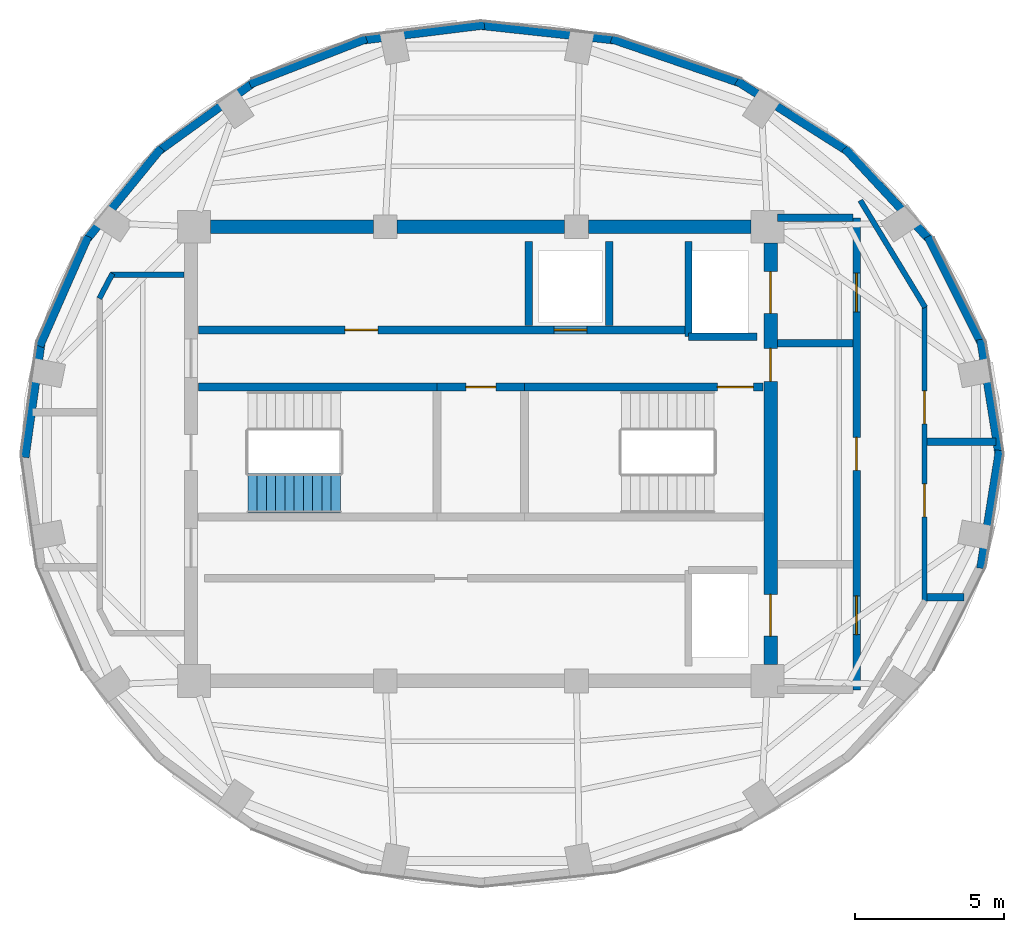
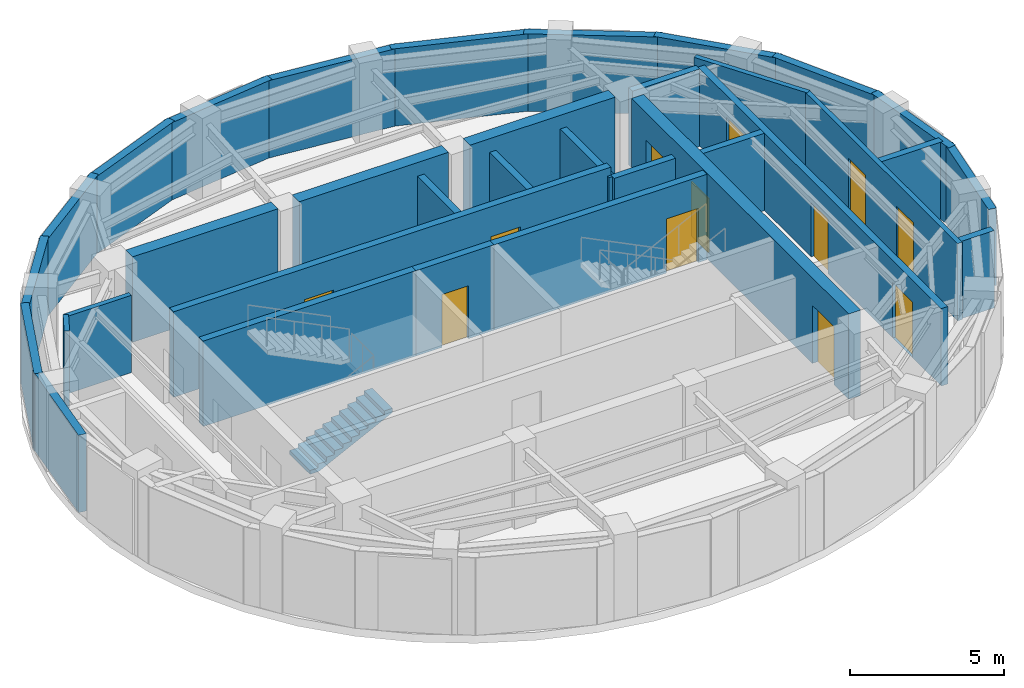
# One storey, part 3 of 5: 34 walls, 12 doors, 1 stair flight, 12 openings, 1 element without a shape of its own.
"""IFC4 building model written with IfcOpenShell, lengths in metres."""

from ifc_helpers import new_model, si_unit, direction, frame, frame_2d, origin, place, context, subcontext, project, spatial, polyline, rectangle, outline, extrude, material, layer, layer_set, type_object, element, fill, aggregate, save


model = new_model("IFC4")

# Units and contexts
model_context = context("Model", 3, precision=1e-05, world=origin(), true_north=direction((0.0, 1.0)))
body_context = subcontext(model_context, "Body", "Model", "MODEL_VIEW")
ifc_project = project(units=[si_unit("LENGTHUNIT", "METRE"), si_unit("AREAUNIT", "SQUARE_METRE"), si_unit("VOLUMEUNIT", "CUBIC_METRE"), si_unit("PLANEANGLEUNIT", "RADIAN"), si_unit("MASSUNIT", "GRAM", prefix="KILO")], contexts=[model_context])

# Site, building, storey
site_placement = place(None, origin())
site = spatial("IfcSite", under=ifc_project, at=site_placement, CompositionType="ELEMENT")
building_placement = place(site_placement, origin())
building = spatial("IfcBuilding", under=site, at=building_placement, Name="Lazwardi Medical Tower", CompositionType="ELEMENT")
storey_placement = place(building_placement, frame((0.0, 0.0, 309.22412109375)))
storey = spatial("IfcBuildingStorey", under=building, at=storey_placement, Name="L81", CompositionType="ELEMENT", Elevation=309.22412109375)

# Wall
ifc_material_1 = material(Name="Fire-rated gypsum board on steel stud", Category="steel")
ifc_layer_1 = layer(ifc_material_1, 0.179931640625)
ifc_layer_set_1 = layer_set([ifc_layer_1], Name="Fire-rated gypsum board on steel stud")
wall_type_1 = type_object("IfcWallType", Name="WL-COR-180", PredefinedType="PARTITIONING", material=ifc_layer_set_1)
wall_1_placement = place(storey_placement, frame((48.69921875, 36.484619140625, 0.0), z_axis=(0.0, 0.0, 1.0), x_axis=(0.518614420457, -0.855008235571, 0.0)))
element("IfcWall", 1, at=wall_1_placement, inside=storey, type_object=wall_type_1, Name="L81 Corridor partition 1", PredefinedType="PARTITIONING", context=body_context, shape_type="SweptSolid", body=[
    extrude(rectangle(XDim=4.18701171875, YDim=0.179931640625, at=frame_2d((2.093505859375, 0.0))), origin(), (0.0, 0.0, 1.0), 3.06787109375),
])

# Wall, openings, doors
wall_2_placement = place(storey_placement, frame((50.85009765625, 32.97900390625, 0.0), z_axis=(0.0, 0.0, 1.0), x_axis=(0.0, -1.0, 0.0)))
wall_2 = element("IfcWall", 2, at=wall_2_placement, inside=storey, type_object=wall_type_1, Name="L81 Corridor partition 2", PredefinedType="PARTITIONING", context=body_context, shape_type="SweptSolid", body=[
    extrude(rectangle(XDim=9.9580078125, YDim=0.179931640625, at=frame_2d((4.97900390625, 0.0))), origin(), (0.0, 0.0, 1.0), 3.06787109375),
])
opening_1_placement = place(wall_2_placement, frame((5.984619140625, 0.0, 0.0)))
opening_1 = element("IfcOpeningElement", 3, at=opening_1_placement, cuts=wall_2, Name="Opening D-L81-012", PredefinedType="OPENING", context=body_context, shape_type="SweptSolid", body=[
    extrude(rectangle(XDim=1.10009765625, YDim=2.14990234375, at=frame_2d((0.550048828125, 1.074951171875))), frame((0.0, 0.099853515625, 0.0), z_axis=(0.0, -1.0, 0.0), x_axis=(1.0, 0.0, 0.0)), (0.0, 0.0, 1.0), 0.199951171875),
])
opening_2_placement = place(wall_2_placement, frame((2.87353515625, 0.0, 0.0)))
opening_2 = element("IfcOpeningElement", 4, at=opening_2_placement, cuts=wall_2, Name="Opening D-L81-013", PredefinedType="OPENING", context=body_context, shape_type="SweptSolid", body=[
    extrude(rectangle(XDim=1.10009765625, YDim=2.14990234375, at=frame_2d((0.550048828125, 1.074951171875))), frame((0.0, 0.099853515625, 0.0), z_axis=(0.0, -1.0, 0.0), x_axis=(1.0, 0.0, 0.0)), (0.0, 0.0, 1.0), 0.199951171875),
])
ifc_material_2 = material(Name="Fire-rated steel leaf and frame", Category="steel")
door_type_1 = type_object("IfcDoorType", Name="DR-PLT-1100", OperationType="NOTDEFINED", PredefinedType="DOOR", material=ifc_material_2)
door_1_placement = place(opening_1_placement, origin())
door_1 = element("IfcDoor", 5, at=door_1_placement, inside=storey, type_object=door_type_1, Name="L81 Pump Room Door 03", OperationType="SINGLE_SWING_RIGHT", OverallHeight=2.14990234375, OverallWidth=1.10009765625, PredefinedType="DOOR", context=body_context, shape_type="SweptSolid", body=[
    extrude(rectangle(XDim=1.10009765625, YDim=2.14990234375, at=frame_2d((0.550048828125, 1.074951171875))), frame((0.0, 0.02490234375, 0.0), z_axis=(0.0, -1.0, 0.0), x_axis=(1.0, 0.0, 0.0)), (0.0, 0.0, 1.0), 0.050048828125),
])
fill(opening_1, door_1)
door_2_placement = place(opening_2_placement, origin())
door_2 = element("IfcDoor", 6, at=door_2_placement, inside=storey, type_object=door_type_1, Name="L81 Water Tank Room Door 04", OperationType="SINGLE_SWING_LEFT", OverallHeight=2.14990234375, OverallWidth=1.10009765625, PredefinedType="DOOR", context=body_context, shape_type="SweptSolid", body=[
    extrude(rectangle(XDim=1.10009765625, YDim=2.14990234375, at=frame_2d((0.550048828125, 1.074951171875))), frame((0.0, 0.02490234375, 0.0), z_axis=(0.0, -1.0, 0.0), x_axis=(1.0, 0.0, 0.0)), (0.0, 0.0, 1.0), 0.050048828125),
])
fill(opening_2, door_2)

# Walls
wall_3_placement = place(storey_placement, frame((23.231201171875, 33.19921875, 0.0), z_axis=(0.0, 0.0, 1.0), x_axis=(0.466427533163, 0.884559413667, 0.0)))
element("IfcWall", 7, at=wall_3_placement, inside=storey, type_object=wall_type_1, Name="L81 Corridor partition 7", PredefinedType="PARTITIONING", context=body_context, shape_type="SweptSolid", body=[
    extrude(rectangle(XDim=0.9453125, YDim=0.179931640625, at=frame_2d((0.47265625, 0.0))), origin(), (0.0, 0.0, 1.0), 3.06787109375),
])
wall_4_placement = place(storey_placement, frame((23.613525390625, 34.0, 0.0), z_axis=(0.0, 0.0, 1.0), x_axis=(1.0, 0.0, 0.0)))
element("IfcWall", 8, at=wall_4_placement, inside=storey, type_object=wall_type_1, Name="L81 Corridor partition 8", PredefinedType="PARTITIONING", context=body_context, shape_type="SweptSolid", body=[
    extrude(rectangle(XDim=2.446533203125, YDim=0.179931640625, at=frame_2d((1.22314453125, 0.0))), origin(), (0.0, 0.0, 1.0), 3.06787109375),
])

# Wall, openings, doors
ifc_material_3 = material(Name="Concrete C60/75", Category="concrete")
ifc_layer_2 = layer(ifc_material_3, 0.449951171875)
ifc_layer_set_2 = layer_set([ifc_layer_2], Name="Concrete C60/75")
wall_type_2 = type_object("IfcWallType", Name="WL-CORE-450", PredefinedType="SHEAR", material=ifc_layer_set_2)
wall_5_placement = place(storey_placement, frame((45.699951171875, 20.949951171875, 0.0), z_axis=(0.0, 0.0, 1.0), x_axis=(0.0, 1.0, 0.0)))
wall_5 = element("IfcWall", 9, at=wall_5_placement, inside=storey, type_object=wall_type_2, Name="Core wall CW-S4 east L81", PredefinedType="SHEAR", context=body_context, shape_type="SweptSolid", body=[
    extrude(rectangle(XDim=14.10009765625, YDim=0.449951171875, at=frame_2d((7.050048828125, 0.0))), origin(), (0.0, 0.0, 1.0), 3.387939453125),
])
opening_3_placement = place(wall_5_placement, frame((11.75, 0.0, 0.0)))
opening_3 = element("IfcOpeningElement", 10, at=opening_3_placement, cuts=wall_5, Name="Opening LD-L81-001", PredefinedType="OPENING", context=body_context, shape_type="SweptSolid", body=[
    extrude(rectangle(XDim=1.39990234375, YDim=2.300048828125, at=frame_2d((0.699951171875, 1.14990234375))), frame((0.0, 0.23486328125, 0.0), z_axis=(0.0, -1.0, 0.0), x_axis=(1.0, 0.0, 0.0)), (0.0, 0.0, 1.0), 0.469970703125),
])
opening_4_placement = place(wall_5_placement, frame((0.949951171875, 0.0, 0.0)))
opening_4 = element("IfcOpeningElement", 11, at=opening_4_placement, cuts=wall_5, Name="Opening LD-L81-002", PredefinedType="OPENING", context=body_context, shape_type="SweptSolid", body=[
    extrude(rectangle(XDim=1.39990234375, YDim=2.300048828125, at=frame_2d((0.699951171875, 1.14990234375))), frame((0.0, 0.23486328125, 0.0), z_axis=(0.0, -1.0, 0.0), x_axis=(1.0, 0.0, 0.0)), (0.0, 0.0, 1.0), 0.469970703125),
])
opening_5_placement = place(wall_5_placement, frame((9.47998046875, 0.0, 0.0)))
opening_5 = element("IfcOpeningElement", 12, at=opening_5_placement, cuts=wall_5, Name="Opening D-L81-005", PredefinedType="OPENING", context=body_context, shape_type="SweptSolid", body=[
    extrude(rectangle(XDim=1.10009765625, YDim=2.14990234375, at=frame_2d((0.550048828125, 1.074951171875))), frame((0.0, 0.23486328125, 0.0), z_axis=(0.0, -1.0, 0.0), x_axis=(1.0, 0.0, 0.0)), (0.0, 0.0, 1.0), 0.469970703125),
])
ifc_material_4 = material(Name="Brushed stainless steel bed-lift landing door", Category="steel")
door_type_2 = type_object("IfcDoorType", Name="DR-LFT-1400", OperationType="NOTDEFINED", PredefinedType="DOOR", material=ifc_material_4)
door_3_placement = place(opening_3_placement, origin())
door_3 = element("IfcDoor", 13, at=door_3_placement, inside=storey, type_object=door_type_2, Name="L81 Lift Landing Door FL-01", OperationType="SLIDING_TO_LEFT", OverallHeight=2.300048828125, OverallWidth=1.39990234375, PredefinedType="DOOR", context=body_context, shape_type="SweptSolid", body=[
    extrude(rectangle(XDim=1.39990234375, YDim=2.300048828125, at=frame_2d((0.699951171875, 1.14990234375))), frame((0.0, 0.02490234375, 0.0), z_axis=(0.0, -1.0, 0.0), x_axis=(1.0, 0.0, 0.0)), (0.0, 0.0, 1.0), 0.050048828125),
])
fill(opening_3, door_3)
door_4_placement = place(opening_4_placement, origin())
door_4 = element("IfcDoor", 14, at=door_4_placement, inside=storey, type_object=door_type_2, Name="L81 Lift Landing Door FL-02", OperationType="SLIDING_TO_LEFT", OverallHeight=2.300048828125, OverallWidth=1.39990234375, PredefinedType="DOOR", context=body_context, shape_type="SweptSolid", body=[
    extrude(rectangle(XDim=1.39990234375, YDim=2.300048828125, at=frame_2d((0.699951171875, 1.14990234375))), frame((0.0, 0.02490234375, 0.0), z_axis=(0.0, -1.0, 0.0), x_axis=(1.0, 0.0, 0.0)), (0.0, 0.0, 1.0), 0.050048828125),
])
fill(opening_4, door_4)
door_5_placement = place(opening_5_placement, origin())
door_5 = element("IfcDoor", 15, at=door_5_placement, inside=storey, type_object=door_type_1, Name="L81 Core Plant Lobby Transfer Door", OperationType="SINGLE_SWING_RIGHT", OverallHeight=2.14990234375, OverallWidth=1.10009765625, PredefinedType="DOOR", context=body_context, shape_type="SweptSolid", body=[
    extrude(rectangle(XDim=1.10009765625, YDim=2.14990234375, at=frame_2d((0.550048828125, 1.074951171875))), frame((0.0, 0.02490234375, 0.0), z_axis=(0.0, -1.0, 0.0), x_axis=(1.0, 0.0, 0.0)), (0.0, 0.0, 1.0), 0.050048828125),
])
fill(opening_5, door_5)

# Walls
wall_6_placement = place(storey_placement, frame((26.949951171875, 35.60009765625, 0.0), z_axis=(0.0, 0.0, 1.0), x_axis=(1.0, 0.0, 0.0)))
element("IfcWall", 16, at=wall_6_placement, inside=storey, type_object=wall_type_2, Name="Core wall CW-S4 N1 L81", PredefinedType="SHEAR", context=body_context, shape_type="SweptSolid", body=[
    extrude(rectangle(XDim=5.449951171875, YDim=0.449951171875, at=frame_2d((2.72509765625, 0.0))), origin(), (0.0, 0.0, 1.0), 3.387939453125),
])
wall_7_placement = place(storey_placement, frame((33.199951171875, 35.60009765625, 0.0), z_axis=(0.0, 0.0, 1.0), x_axis=(1.0, 0.0, 0.0)))
element("IfcWall", 17, at=wall_7_placement, inside=storey, type_object=wall_type_2, Name="Core wall CW-S4 N2 L81", PredefinedType="SHEAR", context=body_context, shape_type="SweptSolid", body=[
    extrude(rectangle(XDim=5.60009765625, YDim=0.449951171875, at=frame_2d((2.800048828125, 0.0))), origin(), (0.0, 0.0, 1.0), 3.387939453125),
])
wall_8_placement = place(storey_placement, frame((39.60009765625, 35.60009765625, 0.0), z_axis=(0.0, 0.0, 1.0), x_axis=(1.0, 0.0, 0.0)))
element("IfcWall", 18, at=wall_8_placement, inside=storey, type_object=wall_type_2, Name="Core wall CW-S4 N3 L81", PredefinedType="SHEAR", context=body_context, shape_type="SweptSolid", body=[
    extrude(rectangle(XDim=5.449951171875, YDim=0.449951171875, at=frame_2d((2.72509765625, 0.0))), origin(), (0.0, 0.0, 1.0), 3.387939453125),
])
ifc_material_5 = material(Name="Precast concrete C45/55", Category="concrete")
ifc_layer_3 = layer(ifc_material_5, 0.280029296875)
ifc_layer_set_3 = layer_set([ifc_layer_3], Name="Precast concrete C45/55")
wall_type_3 = type_object("IfcWallType", Name="WL-DRUM-280", PredefinedType="SOLIDWALL", material=ifc_layer_set_3)
for number, where, z_axis, x_axis, name in (
    (19, (52.730224609375, 24.169921875, 0.0), (0.0, 0.0, 1.0), (0.157235511094, 0.987561134336, 0.0), "L81 Crown Plant Drum Wall 06"),
    (20, (53.35888671875, 27.881591796875, 0.0), (0.0, 0.0, 1.0), (-0.157235511094, 0.987561134336, 0.0), "L81 Crown Plant Drum Wall 07"),
):
    element("IfcWall", number, at=place(storey_placement, frame(where, z_axis=z_axis, x_axis=x_axis)), inside=storey, type_object=wall_type_3, Name=name, PredefinedType="SOLIDWALL", context=body_context, shape_type="SweptSolid", body=[
        extrude(rectangle(XDim=3.998291015625, YDim=0.280029296875, at=frame_2d((1.9990234375, 0.0))), origin(), (0.0, 0.0, 1.0), 3.06787109375),
    ])
wall_9_placement = place(storey_placement, frame((52.802978515625, 31.604248046875, 0.0), z_axis=(0.0, 0.0, 1.0), x_axis=(-0.447855311217, 0.894106045285, 0.0)))
element("IfcWall", 21, at=wall_9_placement, inside=storey, type_object=wall_type_3, Name="L81 Crown Plant Drum Wall 08", PredefinedType="SOLIDWALL", context=body_context, shape_type="SweptSolid", body=[
    extrude(rectangle(XDim=4.108154296875, YDim=0.280029296875, at=frame_2d((2.05419921875, 0.0))), origin(), (0.0, 0.0, 1.0), 3.06787109375),
])
wall_10_placement = place(storey_placement, frame((51.098388671875, 35.08203125, 0.0), z_axis=(0.0, 0.0, 1.0), x_axis=(-0.680156447476, 0.733066986678, 0.0)))
element("IfcWall", 22, at=wall_10_placement, inside=storey, type_object=wall_type_3, Name="L81 Crown Plant Drum Wall 09", PredefinedType="SOLIDWALL", context=body_context, shape_type="SweptSolid", body=[
    extrude(rectangle(XDim=4.291259765625, YDim=0.280029296875, at=frame_2d((2.1455078125, 0.0))), origin(), (0.0, 0.0, 1.0), 3.06787109375),
])
wall_11_placement = place(storey_placement, frame((48.362548828125, 38.07568359375, 0.0), z_axis=(0.0, 0.0, 1.0), x_axis=(-0.84435210997, 0.535788684454, 0.0)))
element("IfcWall", 23, at=wall_11_placement, inside=storey, type_object=wall_type_3, Name="L81 Crown Plant Drum Wall 10", PredefinedType="SOLIDWALL", context=body_context, shape_type="SweptSolid", body=[
    extrude(rectangle(XDim=4.493408203125, YDim=0.280029296875, at=frame_2d((2.24658203125, 0.0))), origin(), (0.0, 0.0, 1.0), 3.06787109375),
])
wall_12_placement = place(storey_placement, frame((44.783447265625, 40.3798828125, 0.0), z_axis=(0.0, 0.0, 1.0), x_axis=(-0.946020767408, 0.324106012955, 0.0)))
element("IfcWall", 24, at=wall_12_placement, inside=storey, type_object=wall_type_3, Name="L81 Crown Plant Drum Wall 11", PredefinedType="SOLIDWALL", context=body_context, shape_type="SweptSolid", body=[
    extrude(rectangle(XDim=4.660400390625, YDim=0.280029296875, at=frame_2d((2.330078125, 0.0))), origin(), (0.0, 0.0, 1.0), 3.06787109375),
])
wall_13_placement = place(storey_placement, frame((40.607177734375, 41.83837890625, 0.0), z_axis=(0.0, 0.0, 1.0), x_axis=(-0.994124299368, 0.108244525985, 0.0)))
element("IfcWall", 25, at=wall_13_placement, inside=storey, type_object=wall_type_3, Name="L81 Crown Plant Drum Wall 12", PredefinedType="SOLIDWALL", context=body_context, shape_type="SweptSolid", body=[
    extrude(rectangle(XDim=4.75439453125, YDim=0.280029296875, at=frame_2d((2.377197265625, 0.0))), origin(), (0.0, 0.0, 1.0), 3.06787109375),
])
wall_14_placement = place(storey_placement, frame((36.119140625, 42.354736328125, 0.0), z_axis=(0.0, 0.0, 1.0), x_axis=(-0.992416279723, -0.122922446041, 0.0)))
element("IfcWall", 26, at=wall_14_placement, inside=storey, type_object=wall_type_3, Name="L81 Crown Plant Drum Wall 13", PredefinedType="SOLIDWALL", context=body_context, shape_type="SweptSolid", body=[
    extrude(rectangle(XDim=4.214599609375, YDim=0.280029296875, at=frame_2d((2.107421875, 0.0))), origin(), (0.0, 0.0, 1.0), 3.06787109375),
])
wall_15_placement = place(storey_placement, frame((32.16748046875, 41.89501953125, 0.0), z_axis=(0.0, 0.0, 1.0), x_axis=(-0.931727407844, -0.363158419249, 0.0)))
element("IfcWall", 27, at=wall_15_placement, inside=storey, type_object=wall_type_3, Name="L81 Crown Plant Drum Wall 14", PredefinedType="SOLIDWALL", context=body_context, shape_type="SweptSolid", body=[
    extrude(rectangle(XDim=4.184814453125, YDim=0.280029296875, at=frame_2d((2.09228515625, 0.0))), origin(), (0.0, 0.0, 1.0), 3.06787109375),
])
wall_16_placement = place(storey_placement, frame((28.477294921875, 40.489013671875, 0.0), z_axis=(0.0, 0.0, 1.0), x_axis=(-0.810749316968, -0.585393495895, 0.0)))
element("IfcWall", 28, at=wall_16_placement, inside=storey, type_object=wall_type_3, Name="L81 Crown Plant Drum Wall 15", PredefinedType="SOLIDWALL", context=body_context, shape_type="SweptSolid", body=[
    extrude(rectangle(XDim=4.133056640625, YDim=0.280029296875, at=frame_2d((2.06640625, 0.0))), origin(), (0.0, 0.0, 1.0), 3.06787109375),
])
wall_17_placement = place(storey_placement, frame((25.299560546875, 38.23291015625, 0.0), z_axis=(0.0, 0.0, 1.0), x_axis=(-0.631957150792, -0.775003328743, 0.0)))
element("IfcWall", 29, at=wall_17_placement, inside=storey, type_object=wall_type_3, Name="L81 Crown Plant Drum Wall 16", PredefinedType="SOLIDWALL", context=body_context, shape_type="SweptSolid", body=[
    extrude(rectangle(XDim=4.072265625, YDim=0.280029296875, at=frame_2d((2.0361328125, 0.0))), origin(), (0.0, 0.0, 1.0), 3.06787109375),
])
wall_18_placement = place(storey_placement, frame((22.85009765625, 35.27978515625, 0.0), z_axis=(0.0, 0.0, 1.0), x_axis=(-0.402911662576, -0.915238871639, 0.0)))
element("IfcWall", 30, at=wall_18_placement, inside=storey, type_object=wall_type_3, Name="L81 Crown Plant Drum Wall 17", PredefinedType="SOLIDWALL", context=body_context, shape_type="SweptSolid", body=[
    extrude(rectangle(XDim=4.0185546875, YDim=0.280029296875, at=frame_2d((2.00927734375, 0.0))), origin(), (0.0, 0.0, 1.0), 3.06787109375),
])
wall_19_placement = place(storey_placement, frame((21.2958984375, 31.830322265625, 0.0), z_axis=(0.0, 0.0, 1.0), x_axis=(-0.13854936703, -0.990355528533, 0.0)))
element("IfcWall", 31, at=wall_19_placement, inside=storey, type_object=wall_type_3, Name="L81 Crown Plant Drum Wall 18", PredefinedType="SOLIDWALL", context=body_context, shape_type="SweptSolid", body=[
    extrude(rectangle(XDim=3.98779296875, YDim=0.280029296875, at=frame_2d((1.993896484375, 0.0))), origin(), (0.0, 0.0, 1.0), 3.06787109375),
])
ifc_material_6 = material(Name="Autoclaved aerated concrete blockwork", Category="masonry")
ifc_layer_4 = layer(ifc_material_6, 0.25)
ifc_layer_set_4 = layer_set([ifc_layer_4], Name="Autoclaved aerated concrete blockwork")
wall_type_4 = type_object("IfcWallType", Name="WL-SHAFT-250", PredefinedType="SOLIDWALL", material=ifc_layer_set_4)
wall_20_placement = place(storey_placement, frame((42.949951171875, 31.919921875, 0.0), z_axis=(0.0, 0.0, 1.0), x_axis=(0.0, 1.0, 0.0)))
element("IfcWall", 32, at=wall_20_placement, inside=storey, type_object=wall_type_4, Name="L81 FL-01 West shaft wall", PredefinedType="SOLIDWALL", context=body_context, shape_type="SweptSolid", body=[
    extrude(rectangle(XDim=3.18017578125, YDim=0.25, at=frame_2d((1.590087890625, 0.0))), origin(), (0.0, 0.0, 1.0), 3.06787109375),
])
wall_21_placement = place(storey_placement, frame((42.949951171875, 31.919921875, 0.0), z_axis=(0.0, 0.0, 1.0), x_axis=(1.0, 0.0, 0.0)))
element("IfcWall", 33, at=wall_21_placement, inside=storey, type_object=wall_type_4, Name="L81 FL-01 South shaft wall", PredefinedType="SOLIDWALL", context=body_context, shape_type="SweptSolid", body=[
    extrude(rectangle(XDim=2.300048828125, YDim=0.25, at=frame_2d((1.14990234375, 0.0))), origin(), (0.0, 0.0, 1.0), 3.06787109375),
])
for number, where, z_axis, x_axis, name in (
    (34, (37.60009765625, 32.300048828125, 0.0), (0.0, 0.0, 1.0), (0.0, 1.0, 0.0), "L81 PL-09 West hoistway divider"),
    (35, (40.300048828125, 32.300048828125, 0.0), (0.0, 0.0, 1.0), (0.0, 1.0, 0.0), "L81 PL-09 East hoistway divider"),
):
    element("IfcWall", number, at=place(storey_placement, frame(where, z_axis=z_axis, x_axis=x_axis)), inside=storey, type_object=wall_type_4, Name=name, PredefinedType="SOLIDWALL", context=body_context, shape_type="SweptSolid", body=[
        extrude(rectangle(XDim=2.800048828125, YDim=0.25, at=frame_2d((1.39990234375, 0.0))), origin(), (0.0, 0.0, 1.0), 3.06787109375),
    ])

# Wall, openings, doors
wall_22_placement = place(storey_placement, frame((48.580078125, 20.10009765625, 0.0), z_axis=(0.0, 0.0, 1.0), x_axis=(0.0, 1.0, 0.0)))
wall_22 = element("IfcWall", 36, at=wall_22_placement, inside=storey, type_object=wall_type_4, Name="L81 Crown FFL East wall", PredefinedType="SOLIDWALL", context=body_context, shape_type="SweptSolid", body=[
    extrude(rectangle(XDim=15.7998046875, YDim=0.25, at=frame_2d((7.89990234375, 0.0))), origin(), (0.0, 0.0, 1.0), 3.06787109375),
])
opening_6_placement = place(wall_22_placement, frame((12.64990234375, 0.0, 0.0)))
opening_6 = element("IfcOpeningElement", 37, at=opening_6_placement, cuts=wall_22, Name="Opening D-L81-003", PredefinedType="OPENING", context=body_context, shape_type="SweptSolid", body=[
    extrude(rectangle(XDim=1.300048828125, YDim=2.199951171875, at=frame_2d((0.64990234375, 1.10009765625))), frame((0.0, 0.135009765625, 0.0), z_axis=(0.0, -1.0, 0.0), x_axis=(1.0, 0.0, 0.0)), (0.0, 0.0, 1.0), 0.27001953125),
])
opening_7_placement = place(wall_22_placement, frame((7.35009765625, 0.0, 0.0)))
opening_7 = element("IfcOpeningElement", 38, at=opening_7_placement, cuts=wall_22, Name="Opening D-L81-002", PredefinedType="OPENING", context=body_context, shape_type="SweptSolid", body=[
    extrude(rectangle(XDim=1.10009765625, YDim=2.14990234375, at=frame_2d((0.550048828125, 1.074951171875))), frame((0.0, 0.135009765625, 0.0), z_axis=(0.0, -1.0, 0.0), x_axis=(1.0, 0.0, 0.0)), (0.0, 0.0, 1.0), 0.27001953125),
])
opening_8_placement = place(wall_22_placement, frame((1.85009765625, 0.0, 0.0)))
opening_8 = element("IfcOpeningElement", 39, at=opening_8_placement, cuts=wall_22, Name="Opening D-L81-004", PredefinedType="OPENING", context=body_context, shape_type="SweptSolid", body=[
    extrude(rectangle(XDim=1.300048828125, YDim=2.199951171875, at=frame_2d((0.64990234375, 1.10009765625))), frame((0.0, 0.135009765625, 0.0), z_axis=(0.0, -1.0, 0.0), x_axis=(1.0, 0.0, 0.0)), (0.0, 0.0, 1.0), 0.27001953125),
])
door_type_3 = type_object("IfcDoorType", Name="DR-FFL-1300", OperationType="NOTDEFINED", PredefinedType="DOOR", material=ifc_material_2)
door_6_placement = place(opening_6_placement, origin())
door_6 = element("IfcDoor", 40, at=door_6_placement, inside=storey, type_object=door_type_3, Name="L81 FFL North Door", OperationType="SINGLE_SWING_LEFT", OverallHeight=2.199951171875, OverallWidth=1.300048828125, PredefinedType="DOOR", context=body_context, shape_type="SweptSolid", body=[
    extrude(rectangle(XDim=1.300048828125, YDim=2.199951171875, at=frame_2d((0.64990234375, 1.10009765625))), frame((0.0, 0.02490234375, 0.0), z_axis=(0.0, -1.0, 0.0), x_axis=(1.0, 0.0, 0.0)), (0.0, 0.0, 1.0), 0.050048828125),
])
fill(opening_6, door_6)
door_7_placement = place(opening_8_placement, origin())
door_7 = element("IfcDoor", 41, at=door_7_placement, inside=storey, type_object=door_type_3, Name="L81 FFL South Door", OperationType="SINGLE_SWING_LEFT", OverallHeight=2.199951171875, OverallWidth=1.300048828125, PredefinedType="DOOR", context=body_context, shape_type="SweptSolid", body=[
    extrude(rectangle(XDim=1.300048828125, YDim=2.199951171875, at=frame_2d((0.64990234375, 1.10009765625))), frame((0.0, 0.02490234375, 0.0), z_axis=(0.0, -1.0, 0.0), x_axis=(1.0, 0.0, 0.0)), (0.0, 0.0, 1.0), 0.050048828125),
])
fill(opening_8, door_7)
door_8_placement = place(opening_7_placement, origin())
door_8 = element("IfcDoor", 42, at=door_8_placement, inside=storey, type_object=door_type_1, Name="L81 Plant Lobby Door", OperationType="SINGLE_SWING_RIGHT", OverallHeight=2.14990234375, OverallWidth=1.10009765625, PredefinedType="DOOR", context=body_context, shape_type="SweptSolid", body=[
    extrude(rectangle(XDim=1.10009765625, YDim=2.14990234375, at=frame_2d((0.550048828125, 1.074951171875))), frame((0.0, 0.02490234375, 0.0), z_axis=(0.0, -1.0, 0.0), x_axis=(1.0, 0.0, 0.0)), (0.0, 0.0, 1.0), 0.050048828125),
])
fill(opening_7, door_8)

# Walls
for number, where, z_axis, x_axis, name in (
    (43, (45.929931640625, 35.89990234375, 0.0), (0.0, 0.0, 1.0), (1.0, 0.0, 0.0), "L81 Crown FFL-N North wall"),
    (44, (45.929931640625, 31.699951171875, 0.0), (0.0, 0.0, 1.0), (1.0, 0.0, 0.0), "L81 Crown FFL-N South wall"),
):
    element("IfcWall", number, at=place(storey_placement, frame(where, z_axis=z_axis, x_axis=x_axis)), inside=storey, type_object=wall_type_4, Name=name, PredefinedType="SOLIDWALL", context=body_context, shape_type="SweptSolid", body=[
        extrude(rectangle(XDim=2.52001953125, YDim=0.25, at=frame_2d((1.260009765625, 0.0))), origin(), (0.0, 0.0, 1.0), 3.06787109375),
    ])
wall_23_placement = place(storey_placement, frame((50.93994140625, 23.199951171875, 0.0), z_axis=(0.0, 0.0, 1.0), x_axis=(1.0, 0.0, 0.0)))
element("IfcWall", 45, at=wall_23_placement, inside=storey, type_object=wall_type_4, Name="L81 Room partition 3", PredefinedType="SOLIDWALL", context=body_context, shape_type="SweptSolid", body=[
    extrude(rectangle(XDim=1.22900390625, YDim=0.25, at=frame_2d((0.614501953125, 0.0))), origin(), (0.0, 0.0, 1.0), 3.06787109375),
])
wall_24_placement = place(storey_placement, frame((50.93994140625, 28.39990234375, 0.0), z_axis=(0.0, 0.0, 1.0), x_axis=(1.0, 0.0, 0.0)))
element("IfcWall", 46, at=wall_24_placement, inside=storey, type_object=wall_type_4, Name="L81 Room partition 4", PredefinedType="SOLIDWALL", context=body_context, shape_type="SweptSolid", body=[
    extrude(rectangle(XDim=2.30126953125, YDim=0.25, at=frame_2d((1.150634765625, 0.0))), origin(), (0.0, 0.0, 1.0), 3.06787109375),
])
ifc_material_7 = material(Name="Concrete C50/60", Category="concrete")
ifc_layer_5 = layer(ifc_material_7, 0.27001953125)
ifc_layer_set_5 = layer_set([ifc_layer_5], Name="Concrete C50/60")
wall_type_5 = type_object("IfcWallType", Name="WL-STR-250", PredefinedType="SHEAR", material=ifc_layer_set_5)
wall_25_placement = place(storey_placement, frame((26.550048828125, 30.235107421875, 0.0), z_axis=(0.0, 0.0, 1.0), x_axis=(1.0, 0.0, 0.0)))
element("IfcWall", 47, at=wall_25_placement, inside=storey, type_object=wall_type_5, Name="L81 ST1 North shear shaft wall SW-S1", PredefinedType="SHEAR", context=body_context, shape_type="SweptSolid", body=[
    extrude(rectangle(XDim=7.98486328125, YDim=0.27001953125, at=frame_2d((3.992431640625, 0.0))), origin(), (0.0, 0.0, 1.0), 3.387939453125),
])

# Wall, opening, door
wall_26_placement = place(storey_placement, frame((34.534912109375, 30.235107421875, 0.0), z_axis=(0.0, 0.0, 1.0), x_axis=(1.0, 0.0, 0.0)))
wall_26 = element("IfcWall", 48, at=wall_26_placement, inside=storey, type_object=wall_type_5, Name="L81 Core service North shear wall SW-S1", PredefinedType="SHEAR", context=body_context, shape_type="SweptSolid", body=[
    extrude(rectangle(XDim=2.93017578125, YDim=0.27001953125, at=frame_2d((1.465087890625, 0.0))), origin(), (0.0, 0.0, 1.0), 3.387939453125),
])
opening_9_placement = place(wall_26_placement, frame((0.965087890625, 0.0, 0.0)))
opening_9 = element("IfcOpeningElement", 49, at=opening_9_placement, cuts=wall_26, Name="Opening D-L81-001", PredefinedType="OPENING", context=body_context, shape_type="SweptSolid", body=[
    extrude(rectangle(XDim=1.0, YDim=2.10009765625, at=frame_2d((0.5, 1.050048828125))), frame((0.0, 0.14501953125, 0.0), z_axis=(0.0, -1.0, 0.0), x_axis=(1.0, 0.0, 0.0)), (0.0, 0.0, 1.0), 0.2900390625),
])
ifc_material_8 = material(Name="Moisture-resistant laminate door leaf")
door_type_4 = type_object("IfcDoorType", Name="DR-AWC-1000", OperationType="NOTDEFINED", PredefinedType="DOOR", material=ifc_material_8)
door_9_placement = place(opening_9_placement, origin())
door_9 = element("IfcDoor", 50, at=door_9_placement, inside=storey, type_object=door_type_4, Name="L81 Accessible WC Door", OperationType="SINGLE_SWING_LEFT", OverallHeight=2.10009765625, OverallWidth=1.0, PredefinedType="DOOR", context=body_context, shape_type="SweptSolid", body=[
    extrude(rectangle(XDim=1.0, YDim=2.10009765625, at=frame_2d((0.5, 1.050048828125))), frame((0.0, 0.02490234375, 0.0), z_axis=(0.0, -1.0, 0.0), x_axis=(1.0, 0.0, 0.0)), (0.0, 0.0, 1.0), 0.050048828125),
])
fill(opening_9, door_9)

wall_27_placement = place(storey_placement, frame((37.465087890625, 30.235107421875, 0.0), z_axis=(0.0, 0.0, 1.0), x_axis=(1.0, 0.0, 0.0)))
wall_27 = element("IfcWall", 51, at=wall_27_placement, inside=storey, type_object=wall_type_5, Name="L81 ST2 North shear shaft wall SW-S1", PredefinedType="SHEAR", context=body_context, shape_type="SweptSolid", body=[
    extrude(rectangle(XDim=7.98486328125, YDim=0.27001953125, at=frame_2d((3.992431640625, 0.0))), origin(), (0.0, 0.0, 1.0), 3.387939453125),
])
opening_10_placement = place(wall_27_placement, frame((6.455078125, 0.0, 0.0)))
opening_10 = element("IfcOpeningElement", 52, at=opening_10_placement, cuts=wall_27, Name="Opening D-L81-015", PredefinedType="OPENING", context=body_context, shape_type="SweptSolid", body=[
    extrude(rectangle(XDim=1.199951171875, YDim=2.14990234375, at=frame_2d((0.60009765625, 1.074951171875))), frame((0.0, 0.14501953125, 0.0), z_axis=(0.0, -1.0, 0.0), x_axis=(1.0, 0.0, 0.0)), (0.0, 0.0, 1.0), 0.2900390625),
])
door_type_5 = type_object("IfcDoorType", Name="DR-STR-1200", OperationType="NOTDEFINED", PredefinedType="DOOR", material=ifc_material_2)
door_10_placement = place(opening_10_placement, origin())
door_10 = element("IfcDoor", 53, at=door_10_placement, inside=storey, type_object=door_type_5, Name="L81 Exit Stair ST2 Door", OperationType="SINGLE_SWING_RIGHT", OverallHeight=2.14990234375, OverallWidth=1.199951171875, PredefinedType="DOOR", context=body_context, shape_type="SweptSolid", body=[
    extrude(rectangle(XDim=1.199951171875, YDim=2.14990234375, at=frame_2d((0.60009765625, 1.074951171875))), frame((0.0, 0.02490234375, 0.0), z_axis=(0.0, -1.0, 0.0), x_axis=(1.0, 0.0, 0.0)), (0.0, 0.0, 1.0), 0.050048828125),
])
fill(opening_10, door_10)

# Wall, openings, doors
wall_28_placement = place(storey_placement, frame((26.550048828125, 32.14990234375, 0.0), z_axis=(0.0, 0.0, 1.0), x_axis=(1.0, 0.0, 0.0)))
wall_28 = element("IfcWall", 54, at=wall_28_placement, inside=storey, type_object=wall_type_5, Name="L81 North lift bank shear wall SW-S1", PredefinedType="SHEAR", context=body_context, shape_type="SweptSolid", body=[
    extrude(rectangle(XDim=16.39990234375, YDim=0.27001953125, at=frame_2d((8.199951171875, 0.0))), origin(), (0.0, 0.0, 1.0), 3.387939453125),
])
opening_11_placement = place(wall_28_placement, frame((4.89990234375, 0.0, 0.0)))
opening_11 = element("IfcOpeningElement", 55, at=opening_11_placement, cuts=wall_28, Name="Opening D-L81-008", PredefinedType="OPENING", context=body_context, shape_type="SweptSolid", body=[
    extrude(rectangle(XDim=1.10009765625, YDim=2.14990234375, at=frame_2d((0.550048828125, 1.074951171875))), frame((0.0, 0.14501953125, 0.0), z_axis=(0.0, -1.0, 0.0), x_axis=(1.0, 0.0, 0.0)), (0.0, 0.0, 1.0), 0.2900390625),
])
opening_12_placement = place(wall_28_placement, frame((11.89990234375, 0.0, 0.0)))
opening_12 = element("IfcOpeningElement", 56, at=opening_12_placement, cuts=wall_28, Name="Opening LD-L81-003", PredefinedType="OPENING", context=body_context, shape_type="SweptSolid", body=[
    extrude(rectangle(XDim=1.10009765625, YDim=2.199951171875, at=frame_2d((0.550048828125, 1.10009765625))), frame((0.0, 0.14501953125, 0.0), z_axis=(0.0, -1.0, 0.0), x_axis=(1.0, 0.0, 0.0)), (0.0, 0.0, 1.0), 0.2900390625),
])
ifc_material_9 = material(Name="Brushed bronze stainless steel landing door", Category="steel")
door_type_6 = type_object("IfcDoorType", Name="DR-LFT-1100", OperationType="NOTDEFINED", PredefinedType="DOOR", material=ifc_material_9)
door_11_placement = place(opening_12_placement, origin())
door_11 = element("IfcDoor", 57, at=door_11_placement, inside=storey, type_object=door_type_6, Name="L81 Lift Landing Door PL-09", OperationType="SLIDING_TO_LEFT", OverallHeight=2.199951171875, OverallWidth=1.10009765625, PredefinedType="DOOR", context=body_context, shape_type="SweptSolid", body=[
    extrude(rectangle(XDim=1.10009765625, YDim=2.199951171875, at=frame_2d((0.550048828125, 1.10009765625))), frame((0.0, 0.02490234375, 0.0), z_axis=(0.0, -1.0, 0.0), x_axis=(1.0, 0.0, 0.0)), (0.0, 0.0, 1.0), 0.050048828125),
])
fill(opening_12, door_11)
door_12_placement = place(opening_11_placement, origin())
door_12 = element("IfcDoor", 58, at=door_12_placement, inside=storey, type_object=door_type_1, Name="L81 Lift Machine Room North Door", OperationType="SINGLE_SWING_RIGHT", OverallHeight=2.14990234375, OverallWidth=1.10009765625, PredefinedType="DOOR", context=body_context, shape_type="SweptSolid", body=[
    extrude(rectangle(XDim=1.10009765625, YDim=2.14990234375, at=frame_2d((0.550048828125, 1.074951171875))), frame((0.0, 0.02490234375, 0.0), z_axis=(0.0, -1.0, 0.0), x_axis=(1.0, 0.0, 0.0)), (0.0, 0.0, 1.0), 0.050048828125),
])
fill(opening_11, door_12)

# Stair, stair flight
ifc_material_10 = material(Name="Concrete C45/55", Category="concrete")
stair_type = type_object("IfcStairType", Name="STR-CRN", PredefinedType="HALF_TURN_STAIR", material=ifc_material_10)
stair_placement = place(storey_placement, origin())
stair = element("IfcStair", 59, at=stair_placement, inside=storey, type_object=stair_type, Name="L81 Protected Exit Stair ST1", PredefinedType="HALF_TURN_STAIR")
stair_flight_type = type_object("IfcStairFlightType", Name="FLT-CRN", PredefinedType="STRAIGHT", material=ifc_material_10)
stair_flight_placement = place(storey_placement, frame((28.199951171875, 26.679931640625, 0.0), z_axis=(0.0, 0.0, 1.0), x_axis=(1.0, 0.0, 0.0)))
stair_flight = element("IfcStairFlight", 60, at=stair_flight_placement, type_object=stair_flight_type, Name="ST1 flight 1", NumberOfRisers=11, NumberOfTreads=10, PredefinedType="STRAIGHT", RiserHeight=0.154, TreadLength=0.31, context=body_context, shape_type="SweptSolid", body=[
    extrude(outline(polyline([(0.0, 0.0), (0.0, 0.154052734375), (0.31005859375, 0.154052734375), (0.31005859375, 0.30810546875), (0.6201171875, 0.30810546875), (0.6201171875, 0.4619140625), (0.929931640625, 0.4619140625), (0.929931640625, 0.615966796875), (1.239990234375, 0.615966796875), (1.239990234375, 0.77001953125), (1.550048828125, 0.77001953125), (1.550048828125, 0.924072265625), (1.860107421875, 0.924072265625), (1.860107421875, 1.077880859375), (2.169921875, 1.077880859375), (2.169921875, 1.23193359375), (2.47998046875, 1.23193359375), (2.47998046875, 1.385986328125), (2.7900390625, 1.385986328125), (2.7900390625, 1.5400390625), (3.10009765625, 1.5400390625), (3.10009765625, 1.694091796875), (3.10009765625, 1.37255859375), (0.3369140625, 0.0), (0.0, 0.0)])), frame((0.0, 0.66015625, 0.0), z_axis=(0.0, -1.0, 0.0), x_axis=(1.0, 0.0, 0.0)), (0.0, 0.0, 1.0), 1.320068359375),
])
aggregate(stair, [stair_flight])

save(model, "model.ifc")
